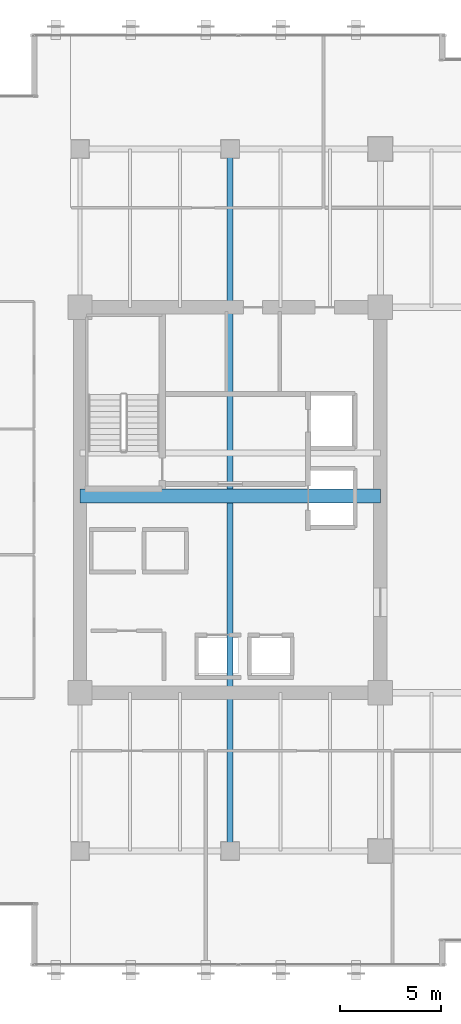
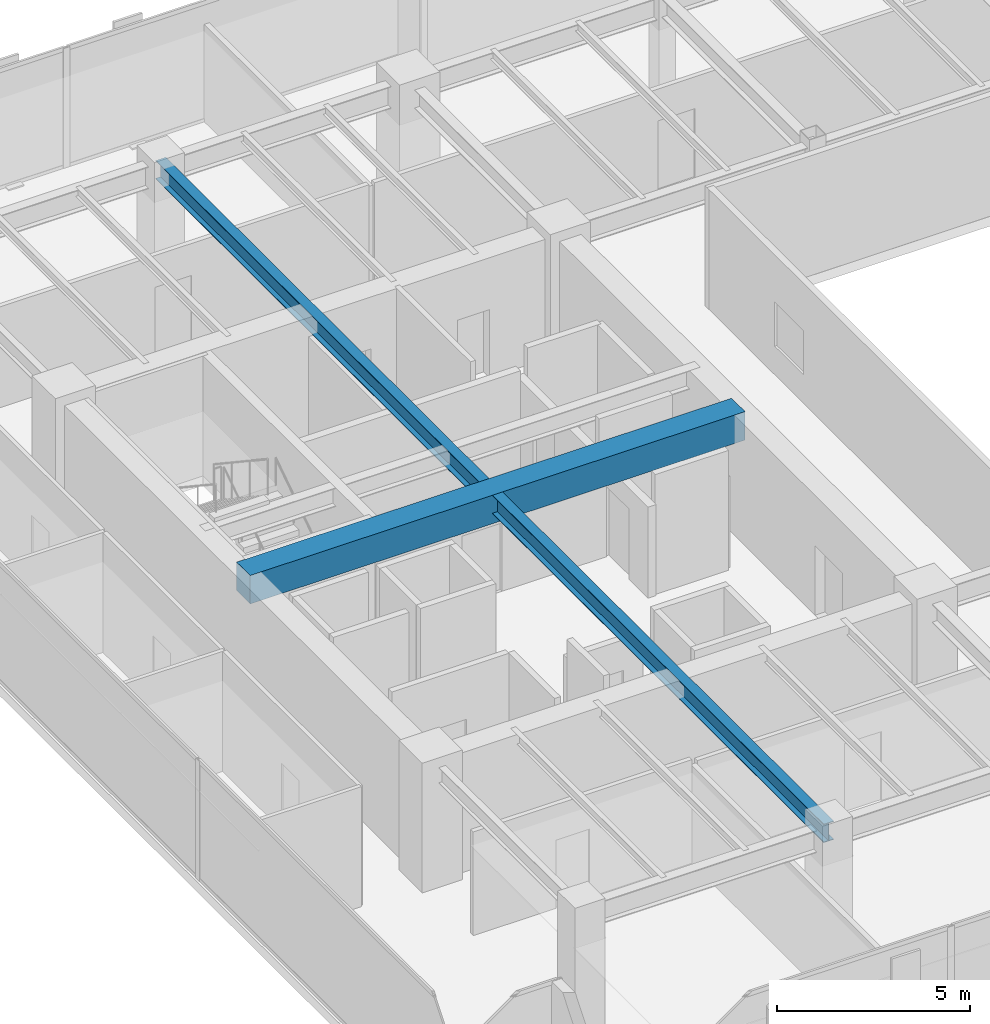
# One storey, part 7 of 34: 2 beams.
"""IFC4 building model written with IfcOpenShell, lengths in metres."""

from ifc_helpers import new_model, si_unit, direction, frame, origin, origin_2d, place, context, subcontext, project, spatial, rectangle, i_section, extrude, source, transform, mapped, material, material_profile, profile_set, type_object, type_shapes, element, save


model = new_model("IFC4")

# Units and contexts
model_context = context("Model", 3, precision=1e-05, world=origin(), true_north=direction((0.0, 1.0)))
body_context = subcontext(model_context, "Body", "Model", "MODEL_VIEW")
ifc_project = project(units=[si_unit("LENGTHUNIT", "METRE"), si_unit("AREAUNIT", "SQUARE_METRE"), si_unit("VOLUMEUNIT", "CUBIC_METRE"), si_unit("PLANEANGLEUNIT", "RADIAN"), si_unit("MASSUNIT", "GRAM", prefix="KILO")], contexts=[model_context])

# Site, building, storey
site_placement = place(None, origin())
site = spatial("IfcSite", under=ifc_project, at=site_placement, CompositionType="ELEMENT")
building_placement = place(site_placement, origin())
building = spatial("IfcBuilding", under=site, at=building_placement, Name="Haelvirn Gate Laboratories", CompositionType="ELEMENT")
storey_placement = place(building_placement, frame((0.0, 0.0, 158.39990234375)))
storey = spatial("IfcBuildingStorey", under=building, at=storey_placement, Name="L38", CompositionType="ELEMENT", Elevation=158.39990234375)

# Beams
ifc_material_1 = material(Name="Concrete C60/75", Category="concrete")
ifc_material_profile_1 = material_profile(ifc_material_1, rectangle(XDim=0.699951171875, YDim=0.89990234375, at=origin_2d()), Name="RCB-700x900")
ifc_profile_set_1 = profile_set([ifc_material_profile_1], Name="Concrete C60/75")
beam_type_1 = type_object("IfcBeamType", Name="BM-RCB-900", PredefinedType="LINTEL", material=ifc_profile_set_1)
shared_shape_1 = source(origin(), body_context, "Body", "SweptSolid", [
    extrude(rectangle(XDim=0.699951171875, YDim=0.89990234375, at=origin_2d()), origin(), (0.0, 0.0, 1.0), 14.800048828125),
])
type_shapes(beam_type_1, [shared_shape_1])
beam_1_placement = place(storey_placement, frame((7.39990234375, 24.5, 3.340087890625), z_axis=(1.0, 0.0, 0.0), x_axis=(0.0, 1.0, 0.0)))
element("IfcBeam", 1, at=beam_1_placement, inside=storey, type_object=beam_type_1, Name="L38 West Core Coupling Beam", PredefinedType="LINTEL", context=body_context, shape_type="MappedRepresentation", body=[
    mapped(shared_shape_1, transform((0.0, 0.0, 0.0), scale=1.0)),
])
ifc_material_2 = material(Name="Steel SM355", Category="steel")
ifc_material_profile_2 = material_profile(ifc_material_2, i_section(OverallWidth=0.300048828125, OverallDepth=0.587890625, WebThickness=0.011962890625, FlangeThickness=0.02001953125, at=origin_2d()), Name="H-588x300x12x20")
ifc_profile_set_2 = profile_set([ifc_material_profile_2], Name="Steel SM355")
beam_type_2 = type_object("IfcBeamType", Name="BM-G-588", PredefinedType="BEAM", material=ifc_profile_set_2)
shared_shape_2 = source(origin(), body_context, "Body", "SweptSolid", [
    extrude(i_section(OverallWidth=0.300048828125, OverallDepth=0.587890625, WebThickness=0.011962890625, FlangeThickness=0.02001953125, at=origin_2d()), origin(), (0.0, 0.0, 1.0), 34.60009765625),
])
type_shapes(beam_type_2, [shared_shape_2])
beam_2_placement = place(storey_placement, frame((14.800048828125, 7.0, 3.49609375), z_axis=(0.0, 1.0, 0.0), x_axis=(-1.0, 0.0, 0.0)))
element("IfcBeam", 2, at=beam_2_placement, inside=storey, type_object=beam_type_2, Name="L38 Frame Girder X14.8 (7.0-41.6)", PredefinedType="BEAM", context=body_context, shape_type="MappedRepresentation", body=[
    mapped(shared_shape_2, transform((0.0, 0.0, 0.0), scale=1.0)),
])

save(model, "model.ifc")
